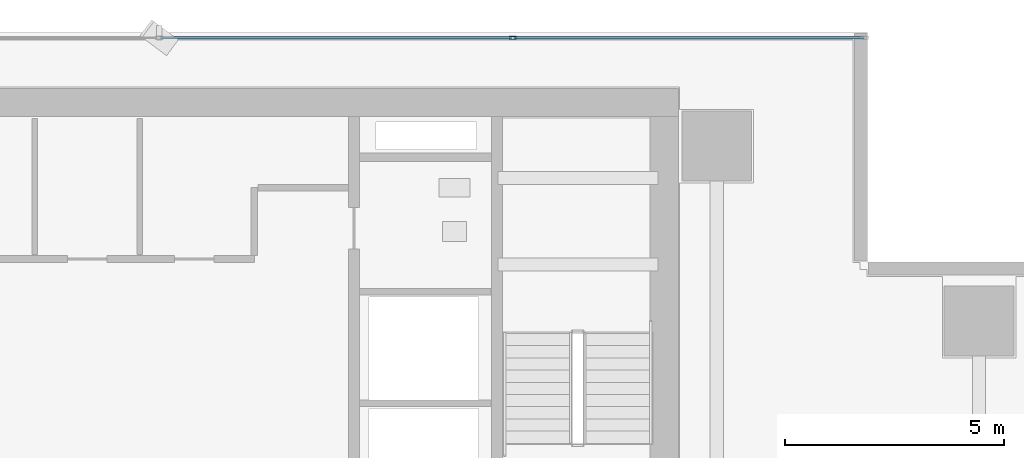
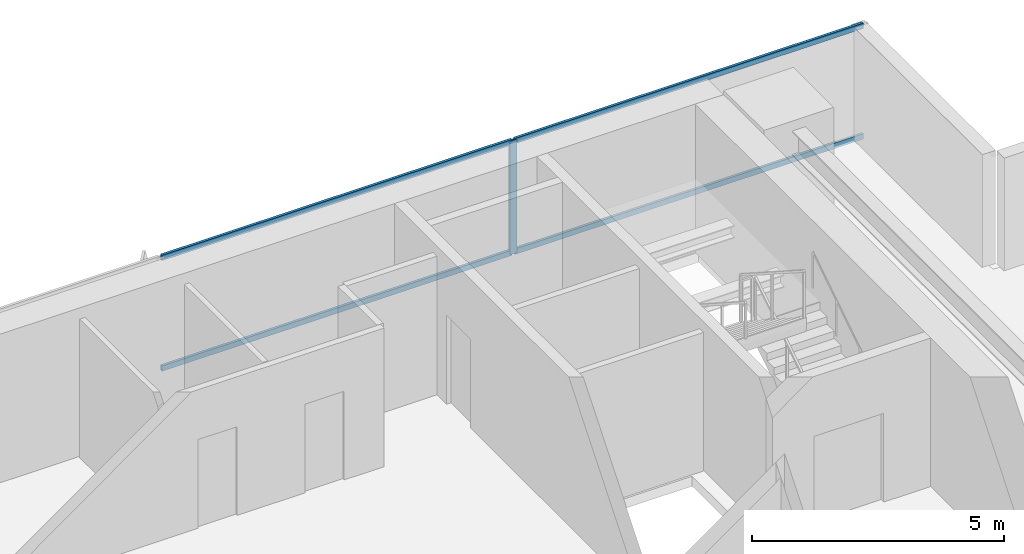
# One storey, part 25 of 37: 5 members, 1 element without a shape of its own.
"""IFC4 building model written with IfcOpenShell, lengths in metres."""

from ifc_helpers import new_model, si_unit, direction, frame, origin, origin_2d, place, context, subcontext, project, spatial, hollow_rectangle, extrude, source, transform, mapped, material, layer, layer_set, material_profile, profile_set, type_object, element, aggregate, save


model = new_model("IFC4")

# Units and contexts
model_context = context("Model", 3, precision=1e-05, world=origin(), true_north=direction((0.0, 1.0)))
body_context = subcontext(model_context, "Body", "Model", "MODEL_VIEW")
ifc_project = project(units=[si_unit("LENGTHUNIT", "METRE"), si_unit("AREAUNIT", "SQUARE_METRE"), si_unit("VOLUMEUNIT", "CUBIC_METRE"), si_unit("PLANEANGLEUNIT", "RADIAN"), si_unit("MASSUNIT", "GRAM", prefix="KILO")], contexts=[model_context])

# Site, building, storey
site_placement = place(None, origin())
site = spatial("IfcSite", under=ifc_project, at=site_placement, CompositionType="ELEMENT")
building_placement = place(site_placement, origin())
building = spatial("IfcBuilding", under=site, at=building_placement, Name="Sumidabori Civic Tower", CompositionType="ELEMENT")
storey_placement = place(building_placement, frame((0.0, 0.0, 88.39990234375)))
storey = spatial("IfcBuildingStorey", under=building, at=storey_placement, Name="L22", CompositionType="ELEMENT", Elevation=88.39990234375)

# Curtain wall, members
ifc_material = material(Name="Anodised Bronze Aluminium AW-6063-T6", Category="aluminium")
ifc_layer = layer(ifc_material, 0.179931640625, Name="Anodised Bronze Aluminium AW-6063-T6")
ifc_layer_set = layer_set([ifc_layer], Name="Anodised Bronze Aluminium AW-6063-T6")
curtain_wall_type = type_object("IfcCurtainWallType", Name="CW-SYS-3", PredefinedType="NOTDEFINED", material=ifc_layer_set)
curtain_wall_placement = place(storey_placement, origin())
curtain_wall = element("IfcCurtainWall", 1, at=curtain_wall_placement, inside=storey, type_object=curtain_wall_type, Name="Curtain Wall CW:L22:R07", PredefinedType="NOTDEFINED")
ifc_material_profile_1 = material_profile(ifc_material, hollow_rectangle(XDim=0.06494140625, YDim=0.159912109375, WallThickness=0.0048828125, at=origin_2d()), Name="ALU MULLION 160x65")
ifc_profile_set_1 = profile_set([ifc_material_profile_1], Name="Anodised Bronze Aluminium AW-6063-T6")
member_type_1 = type_object("IfcMemberType", Name="CW-MUL-160", PredefinedType="MULLION", material=ifc_profile_set_1)
shared_shape_1 = source(origin(), body_context, "Body", "SweptSolid", [
    extrude(hollow_rectangle(XDim=0.06494140625, YDim=0.159912109375, WallThickness=0.0048828125, at=origin_2d()), origin(), (0.0, 0.0, 1.0), 2.739990234375),
])
member_1_placement = place(storey_placement, frame((12.132080078125, 25.280029296875, 0.0), z_axis=(0.0, 0.0, 1.0), x_axis=(0.0, -1.0, 0.0)))
member_1 = element("IfcMember", 2, at=member_1_placement, type_object=member_type_1, Name="CW-3 mullion 2", PredefinedType="MULLION", context=body_context, shape_type="MappedRepresentation", body=[
    mapped(shared_shape_1, transform((0.0, 0.0, 0.0), x_axis=(1.0, 0.0, 0.0), y_axis=(0.0, 1.0, 0.0), z_axis=(0.0, 0.0, 1.0), scale=1.0)),
])
ifc_material_profile_2 = material_profile(ifc_material, hollow_rectangle(XDim=0.06005859375, YDim=0.1298828125, WallThickness=0.0048828125, at=origin_2d()), Name="ALU TRANSOM 130x60")
ifc_profile_set_2 = profile_set([ifc_material_profile_2], Name="Anodised Bronze Aluminium AW-6063-T6")
member_type_2 = type_object("IfcMemberType", Name="CW-TRN-130", PredefinedType="USERDEFINED", material=ifc_profile_set_2)
shared_shape_2 = source(origin(), body_context, "Body", "SweptSolid", [
    extrude(hollow_rectangle(XDim=0.06005859375, YDim=0.1298828125, WallThickness=0.0048828125, at=origin_2d()), origin(), (0.0, 0.0, 1.0), 7.990478515625),
])
member_2_placement = place(storey_placement, frame((20.155029296875, 25.280029296875, 0.030029296875), z_axis=(-1.0, 0.0, 0.0), x_axis=(0.0, -1.0, 0.0)))
member_2 = element("IfcMember", 3, at=member_2_placement, type_object=member_type_2, Name="CW-3 transom 1.1", ObjectType="TRANSOM", PredefinedType="USERDEFINED", context=body_context, shape_type="MappedRepresentation", body=[
    mapped(shared_shape_2, transform((0.0, 0.0, 0.0), x_axis=(1.0, 0.0, 0.0), y_axis=(0.0, 1.0, 0.0), z_axis=(0.0, 0.0, 1.0), scale=1.0)),
])
member_3_placement = place(storey_placement, frame((20.155029296875, 25.280029296875, 2.710205078125), z_axis=(-1.0, 0.0, 0.0), x_axis=(0.0, -1.0, 0.0)))
member_3 = element("IfcMember", 4, at=member_3_placement, type_object=member_type_2, Name="CW-3 transom 1.2", ObjectType="TRANSOM", PredefinedType="USERDEFINED", context=body_context, shape_type="MappedRepresentation", body=[
    mapped(shared_shape_2, transform((0.0, 0.0, 0.0), x_axis=(1.0, 0.0, 0.0), y_axis=(0.0, 1.0, 0.0), z_axis=(0.0, 0.0, 1.0), scale=1.0)),
])
shared_shape_3 = source(origin(), body_context, "Body", "SweptSolid", [
    extrude(hollow_rectangle(XDim=0.06005859375, YDim=0.1298828125, WallThickness=0.0048828125, at=origin_2d()), origin(), (0.0, 0.0, 1.0), 8.023193359375),
])
member_4_placement = place(storey_placement, frame((12.099609375, 25.280029296875, 0.030029296875), z_axis=(-1.0, 0.0, 0.0), x_axis=(0.0, -1.0, 0.0)))
member_4 = element("IfcMember", 5, at=member_4_placement, type_object=member_type_2, Name="CW-3 transom 2.1", ObjectType="TRANSOM", PredefinedType="USERDEFINED", context=body_context, shape_type="MappedRepresentation", body=[
    mapped(shared_shape_3, transform((0.0, 0.0, 0.0), x_axis=(1.0, 0.0, 0.0), y_axis=(0.0, 1.0, 0.0), z_axis=(0.0, 0.0, 1.0), scale=1.0)),
])
member_5_placement = place(storey_placement, frame((12.099609375, 25.280029296875, 2.710205078125), z_axis=(-1.0, 0.0, 0.0), x_axis=(0.0, -1.0, 0.0)))
member_5 = element("IfcMember", 6, at=member_5_placement, type_object=member_type_2, Name="CW-3 transom 2.2", ObjectType="TRANSOM", PredefinedType="USERDEFINED", context=body_context, shape_type="MappedRepresentation", body=[
    mapped(shared_shape_3, transform((0.0, 0.0, 0.0), x_axis=(1.0, 0.0, 0.0), y_axis=(0.0, 1.0, 0.0), z_axis=(0.0, 0.0, 1.0), scale=1.0)),
])
aggregate(curtain_wall, [member_1, member_2, member_3, member_4, member_5])

save(model, "model.ifc")
